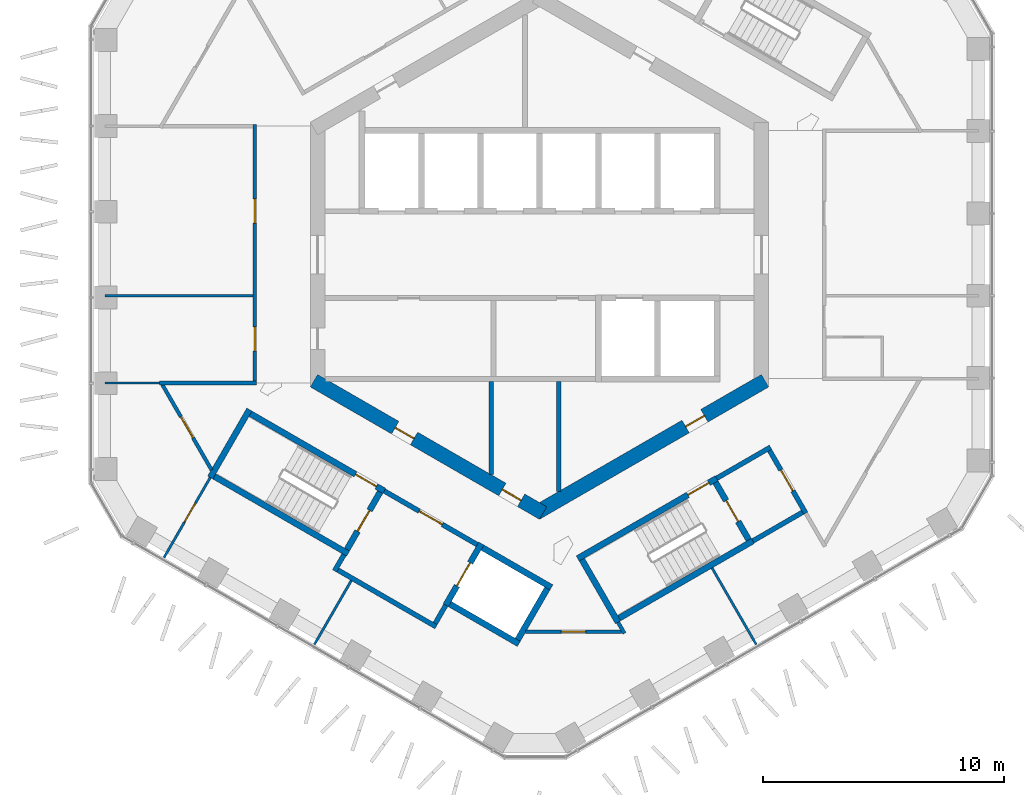
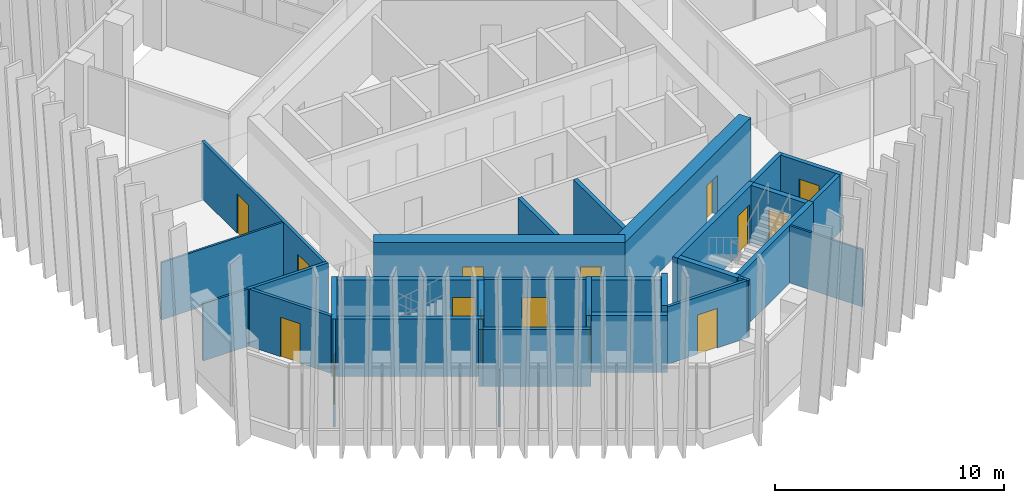
# One storey, part 13 of 20: 33 walls, 15 doors, 15 openings.
"""IFC4 building model written with IfcOpenShell, lengths in metres."""

from ifc_helpers import new_model, si_unit, direction, frame, frame_2d, origin, place, context, subcontext, project, spatial, rectangle, extrude, material, layer, layer_set, type_object, element, fill, save


model = new_model("IFC4")

# Units and contexts
model_context = context("Model", 3, precision=1e-05, world=origin(), true_north=direction((0.0, 1.0)))
body_context = subcontext(model_context, "Body", "Model", "MODEL_VIEW")
ifc_project = project(units=[si_unit("LENGTHUNIT", "METRE"), si_unit("AREAUNIT", "SQUARE_METRE"), si_unit("VOLUMEUNIT", "CUBIC_METRE"), si_unit("PLANEANGLEUNIT", "RADIAN"), si_unit("MASSUNIT", "GRAM", prefix="KILO")], contexts=[model_context])

# Site, building, storey
site_placement = place(None, origin())
site = spatial("IfcSite", under=ifc_project, at=site_placement, CompositionType="ELEMENT")
building_placement = place(site_placement, origin())
building = spatial("IfcBuilding", under=site, at=building_placement, Name="Ayvan Gate Tower", CompositionType="ELEMENT")
storey_placement = place(building_placement, frame((0.0, 0.0, 162.89990234375)))
storey = spatial("IfcBuildingStorey", under=building, at=storey_placement, Name="L43", CompositionType="ELEMENT", Elevation=162.89990234375)

# Wall, openings, doors
ifc_material_1 = material(Name="Concrete C60/75", Category="concrete")
ifc_layer_1 = layer(ifc_material_1, 0.60009765625)
ifc_layer_set_1 = layer_set([ifc_layer_1], Name="Concrete C60/75")
wall_type_1 = type_object("IfcWallType", Name="Core wall 600 C60/75", PredefinedType="SHEAR", material=ifc_layer_set_1)
wall_1_placement = place(storey_placement, frame((-9.35009765625, -5.22509765625, 0.0), z_axis=(0.0, 0.0, 1.0), x_axis=(0.866023993627, -0.500002442456, 0.0)))
wall_1 = element("IfcWall", 1, at=wall_1_placement, inside=storey, type_object=wall_type_1, Name="CORE-L43-4", PredefinedType="SHEAR", context=body_context, shape_type="SweptSolid", body=[
    extrude(rectangle(XDim=10.9697265625, YDim=0.60009765625, at=frame_2d((5.48486328125, 0.0))), origin(), (0.0, 0.0, 1.0), 3.400146484375),
])
opening_1_placement = place(wall_1_placement, frame((3.891357421875, 0.0, 0.0)))
opening_1 = element("IfcOpeningElement", 2, at=opening_1_placement, cuts=wall_1, Name="Opening L43-D38", PredefinedType="OPENING", context=body_context, shape_type="SweptSolid", body=[
    extrude(rectangle(XDim=0.89990234375, YDim=2.10009765625, at=frame_2d((0.449951171875, 1.050048828125))), frame((0.0, 0.31005859375, 0.0), z_axis=(0.0, -1.0, 0.0), x_axis=(1.0, 0.0, 0.0)), (0.0, 0.0, 1.0), 0.6201171875),
])
opening_2_placement = place(wall_1_placement, frame((9.01806640625, 0.0, 0.0)))
opening_2 = element("IfcOpeningElement", 3, at=opening_2_placement, cuts=wall_1, Name="Opening L43-D39", PredefinedType="OPENING", context=body_context, shape_type="SweptSolid", body=[
    extrude(rectangle(XDim=0.89990234375, YDim=2.10009765625, at=frame_2d((0.449951171875, 1.050048828125))), frame((0.0, 0.31005859375, 0.0), z_axis=(0.0, -1.0, 0.0), x_axis=(1.0, 0.0, 0.0)), (0.0, 0.0, 1.0), 0.6201171875),
])
ifc_material_2 = material(Name="Timber door leaf", Category="wood")
door_type_1 = type_object("IfcDoorType", Name="DT-900", OperationType="NOTDEFINED", PredefinedType="DOOR", material=ifc_material_2)
door_1_placement = place(opening_1_placement, origin())
door_1 = element("IfcDoor", 4, at=door_1_placement, inside=storey, type_object=door_type_1, Name="CD-L43-38", OperationType="SINGLE_SWING_LEFT", OverallHeight=2.10009765625, OverallWidth=0.89990234375, PredefinedType="DOOR", context=body_context, shape_type="SweptSolid", body=[
    extrude(rectangle(XDim=0.89990234375, YDim=2.10009765625, at=frame_2d((0.449951171875, 1.050048828125))), frame((0.0, 0.02490234375, 0.0), z_axis=(0.0, -1.0, 0.0), x_axis=(1.0, 0.0, 0.0)), (0.0, 0.0, 1.0), 0.050048828125),
])
fill(opening_1, door_1)
door_2_placement = place(opening_2_placement, origin())
door_2 = element("IfcDoor", 5, at=door_2_placement, inside=storey, type_object=door_type_1, Name="CD-L43-39", OperationType="SINGLE_SWING_RIGHT", OverallHeight=2.10009765625, OverallWidth=0.89990234375, PredefinedType="DOOR", context=body_context, shape_type="SweptSolid", body=[
    extrude(rectangle(XDim=0.89990234375, YDim=2.10009765625, at=frame_2d((0.449951171875, 1.050048828125))), frame((0.0, 0.02490234375, 0.0), z_axis=(0.0, -1.0, 0.0), x_axis=(1.0, 0.0, 0.0)), (0.0, 0.0, 1.0), 0.050048828125),
])
fill(opening_2, door_2)

# Wall, opening, door
wall_2_placement = place(storey_placement, frame((-0.14990234375, -10.7099609375, 0.0), z_axis=(0.0, 0.0, 1.0), x_axis=(0.866023993627, 0.500002442456, 0.0)))
wall_2 = element("IfcWall", 6, at=wall_2_placement, inside=storey, type_object=wall_type_1, Name="CORE-L43-5", PredefinedType="SHEAR", context=body_context, shape_type="SweptSolid", body=[
    extrude(rectangle(XDim=10.9697265625, YDim=0.60009765625, at=frame_2d((5.48486328125, 0.0))), origin(), (0.0, 0.0, 1.0), 3.400146484375),
])
opening_3_placement = place(wall_2_placement, frame((7.165771484375, 0.0, 0.0)))
opening_3 = element("IfcOpeningElement", 7, at=opening_3_placement, cuts=wall_2, Name="Opening L43-D40", PredefinedType="OPENING", context=body_context, shape_type="SweptSolid", body=[
    extrude(rectangle(XDim=0.89990234375, YDim=2.10009765625, at=frame_2d((0.449951171875, 1.050048828125))), frame((0.0, 0.31005859375, 0.0), z_axis=(0.0, -1.0, 0.0), x_axis=(1.0, 0.0, 0.0)), (0.0, 0.0, 1.0), 0.6201171875),
])
door_3_placement = place(opening_3_placement, origin())
door_3 = element("IfcDoor", 8, at=door_3_placement, inside=storey, type_object=door_type_1, Name="CD-L43-40", OperationType="SINGLE_SWING_LEFT", OverallHeight=2.10009765625, OverallWidth=0.89990234375, PredefinedType="DOOR", context=body_context, shape_type="SweptSolid", body=[
    extrude(rectangle(XDim=0.89990234375, YDim=2.10009765625, at=frame_2d((0.449951171875, 1.050048828125))), frame((0.0, 0.02490234375, 0.0), z_axis=(0.0, -1.0, 0.0), x_axis=(1.0, 0.0, 0.0)), (0.0, 0.0, 1.0), 0.050048828125),
])
fill(opening_3, door_3)

# Wall
ifc_material_3 = material(Name="Plasterboard on steel stud", Category="steel")
ifc_layer_2 = layer(ifc_material_3, 0.14990234375)
ifc_layer_set_2 = layer_set([ifc_layer_2], Name="Plasterboard on steel stud")
wall_type_2 = type_object("IfcWallType", Name="WT-CORR-150", PredefinedType="PARTITIONING", material=ifc_layer_set_2)
wall_3_placement = place(storey_placement, frame((-15.74658203125, -5.322509765625, 0.0), z_axis=(0.0, 0.0, 1.0), x_axis=(1.0, 0.0, 0.0)))
element("IfcWall", 9, at=wall_3_placement, inside=storey, type_object=wall_type_2, Name="IW-L43-003", PredefinedType="PARTITIONING", context=body_context, shape_type="SweptSolid", body=[
    extrude(rectangle(XDim=4.021728515625, YDim=0.14990234375, at=frame_2d((2.0107421875, 0.0))), origin(), (0.0, 0.0, 1.0), 3.050048828125),
])

# Wall, opening, door
wall_4_placement = place(storey_placement, frame((-13.591552734375, -8.9248046875, 0.0), z_axis=(0.0, 0.0, 1.0), x_axis=(-0.500034604092, 0.866005424181, 0.0)))
wall_4 = element("IfcWall", 10, at=wall_4_placement, inside=storey, type_object=wall_type_2, Name="IW-L43-007", PredefinedType="PARTITIONING", context=body_context, shape_type="SweptSolid", body=[
    extrude(rectangle(XDim=4.084716796875, YDim=0.14990234375, at=frame_2d((2.04248046875, 0.0))), origin(), (0.0, 0.0, 1.0), 3.050048828125),
])
opening_4_placement = place(wall_4_placement, frame((1.54248046875, 0.0, 0.0)))
opening_4 = element("IfcOpeningElement", 11, at=opening_4_placement, cuts=wall_4, Name="Opening L43-D29", PredefinedType="OPENING", context=body_context, shape_type="SweptSolid", body=[
    extrude(rectangle(XDim=1.0, YDim=2.10009765625, at=frame_2d((0.5, 1.050048828125))), frame((0.0, 0.0849609375, 0.0), z_axis=(0.0, -1.0, 0.0), x_axis=(1.0, 0.0, 0.0)), (0.0, 0.0, 1.0), 0.169921875),
])
door_type_2 = type_object("IfcDoorType", Name="DT-1000", OperationType="NOTDEFINED", PredefinedType="DOOR", material=ifc_material_2)
door_4_placement = place(opening_4_placement, origin())
door_4 = element("IfcDoor", 12, at=door_4_placement, inside=storey, type_object=door_type_2, Name="ID-L43-029", OperationType="SINGLE_SWING_RIGHT", OverallHeight=2.10009765625, OverallWidth=1.0, PredefinedType="DOOR", context=body_context, shape_type="SweptSolid", body=[
    extrude(rectangle(XDim=1.0, YDim=2.10009765625, at=frame_2d((0.5, 1.050048828125))), frame((0.0, 0.02490234375, 0.0), z_axis=(0.0, -1.0, 0.0), x_axis=(1.0, 0.0, 0.0)), (0.0, 0.0, 1.0), 0.050048828125),
])
fill(opening_4, door_4)

# Wall, openings, doors
wall_5_placement = place(storey_placement, frame((-11.800048828125, -5.247314453125, 0.0), z_axis=(0.0, 0.0, 1.0), x_axis=(0.0, 1.0, 0.0)))
wall_5 = element("IfcWall", 13, at=wall_5_placement, inside=storey, type_object=wall_type_2, Name="IW-L43-010", PredefinedType="PARTITIONING", context=body_context, shape_type="SweptSolid", body=[
    extrude(rectangle(XDim=10.644775390625, YDim=0.14990234375, at=frame_2d((5.322265625, 0.0))), origin(), (0.0, 0.0, 1.0), 3.050048828125),
])
opening_5_placement = place(wall_5_placement, frame((6.55712890625, 0.0, 0.0)))
opening_5 = element("IfcOpeningElement", 14, at=opening_5_placement, cuts=wall_5, Name="Opening L43-D27", PredefinedType="OPENING", context=body_context, shape_type="SweptSolid", body=[
    extrude(rectangle(XDim=1.0, YDim=2.10009765625, at=frame_2d((0.5, 1.050048828125))), frame((0.0, 0.0849609375, 0.0), z_axis=(0.0, -1.0, 0.0), x_axis=(1.0, 0.0, 0.0)), (0.0, 0.0, 1.0), 0.169921875),
])
opening_6_placement = place(wall_5_placement, frame((1.257080078125, 0.0, 0.0)))
opening_6 = element("IfcOpeningElement", 15, at=opening_6_placement, cuts=wall_5, Name="Opening L43-D28", PredefinedType="OPENING", context=body_context, shape_type="SweptSolid", body=[
    extrude(rectangle(XDim=1.0, YDim=2.10009765625, at=frame_2d((0.5, 1.050048828125))), frame((0.0, 0.0849609375, 0.0), z_axis=(0.0, -1.0, 0.0), x_axis=(1.0, 0.0, 0.0)), (0.0, 0.0, 1.0), 0.169921875),
])
door_5_placement = place(opening_5_placement, origin())
door_5 = element("IfcDoor", 16, at=door_5_placement, inside=storey, type_object=door_type_2, Name="ID-L43-027", OperationType="SINGLE_SWING_RIGHT", OverallHeight=2.10009765625, OverallWidth=1.0, PredefinedType="DOOR", context=body_context, shape_type="SweptSolid", body=[
    extrude(rectangle(XDim=1.0, YDim=2.10009765625, at=frame_2d((0.5, 1.050048828125))), frame((0.0, 0.02490234375, 0.0), z_axis=(0.0, -1.0, 0.0), x_axis=(1.0, 0.0, 0.0)), (0.0, 0.0, 1.0), 0.050048828125),
])
fill(opening_5, door_5)
door_6_placement = place(opening_6_placement, origin())
door_6 = element("IfcDoor", 17, at=door_6_placement, inside=storey, type_object=door_type_2, Name="ID-L43-028", OperationType="SINGLE_SWING_LEFT", OverallHeight=2.10009765625, OverallWidth=1.0, PredefinedType="DOOR", context=body_context, shape_type="SweptSolid", body=[
    extrude(rectangle(XDim=1.0, YDim=2.10009765625, at=frame_2d((0.5, 1.050048828125))), frame((0.0, 0.02490234375, 0.0), z_axis=(0.0, -1.0, 0.0), x_axis=(1.0, 0.0, 0.0)), (0.0, 0.0, 1.0), 0.050048828125),
])
fill(opening_6, door_6)

# Wall
wall_6_placement = place(storey_placement, frame((3.255615234375, -15.23876953125, 0.0), z_axis=(0.0, 0.0, 1.0), x_axis=(0.500001430823, -0.866024577697, 0.0)))
element("IfcWall", 18, at=wall_6_placement, inside=storey, type_object=wall_type_2, Name="IW-L43-053", PredefinedType="PARTITIONING", context=body_context, shape_type="SweptSolid", body=[
    extrude(rectangle(XDim=0.5302734375, YDim=0.14990234375, at=frame_2d((0.26513671875, 0.0))), origin(), (0.0, 0.0, 1.0), 3.050048828125),
])

# Wall, opening, door
wall_7_placement = place(storey_placement, frame((3.408203125, -15.633056640625, 0.0), z_axis=(0.0, 0.0, 1.0), x_axis=(-1.0, 0.0, 0.0)))
wall_7 = element("IfcWall", 19, at=wall_7_placement, inside=storey, type_object=wall_type_2, Name="IW-L43-055", PredefinedType="PARTITIONING", context=body_context, shape_type="SweptSolid", body=[
    extrude(rectangle(XDim=3.9951171875, YDim=0.14990234375, at=frame_2d((1.99755859375, 0.0))), origin(), (0.0, 0.0, 1.0), 3.050048828125),
])
opening_7_placement = place(wall_7_placement, frame((1.49755859375, 0.0, 0.0)))
opening_7 = element("IfcOpeningElement", 20, at=opening_7_placement, cuts=wall_7, Name="Opening L43-D31", PredefinedType="OPENING", context=body_context, shape_type="SweptSolid", body=[
    extrude(rectangle(XDim=1.0, YDim=2.10009765625, at=frame_2d((0.5, 1.050048828125))), frame((0.0, 0.0849609375, 0.0), z_axis=(0.0, -1.0, 0.0), x_axis=(1.0, 0.0, 0.0)), (0.0, 0.0, 1.0), 0.169921875),
])
door_7_placement = place(opening_7_placement, origin())
door_7 = element("IfcDoor", 21, at=door_7_placement, inside=storey, type_object=door_type_2, Name="ID-L43-031", OperationType="SINGLE_SWING_RIGHT", OverallHeight=2.10009765625, OverallWidth=1.0, PredefinedType="DOOR", context=body_context, shape_type="SweptSolid", body=[
    extrude(rectangle(XDim=1.0, YDim=2.10009765625, at=frame_2d((0.5, 1.050048828125))), frame((0.0, 0.02490234375, 0.0), z_axis=(0.0, -1.0, 0.0), x_axis=(1.0, 0.0, 0.0)), (0.0, 0.0, 1.0), 0.050048828125),
])
fill(opening_7, door_7)

# Wall
ifc_layer_3 = layer(ifc_material_3, 0.10009765625)
ifc_layer_set_3 = layer_set([ifc_layer_3], Name="Plasterboard on steel stud")
wall_type_3 = type_object("IfcWallType", Name="WT-PART-100", PredefinedType="PARTITIONING", material=ifc_layer_set_3)
wall_8_placement = place(storey_placement, frame((-15.74658203125, -5.322509765625, 0.0), z_axis=(0.0, 0.0, 1.0), x_axis=(-1.0, 0.0, 0.0)))
element("IfcWall", 22, at=wall_8_placement, inside=storey, type_object=wall_type_3, Name="IW-L43-002", PredefinedType="PARTITIONING", context=body_context, shape_type="SweptSolid", body=[
    extrude(rectangle(XDim=2.261962890625, YDim=0.10009765625, at=frame_2d((1.130859375, 0.0))), origin(), (0.0, 0.0, 1.0), 3.050048828125),
])

# Wall, opening, door
wall_9_placement = place(storey_placement, frame((-13.647705078125, -9.23876953125, 0.0), z_axis=(0.0, 0.0, 1.0), x_axis=(-0.500044099915, -0.86599994119, 0.0)))
wall_9 = element("IfcWall", 23, at=wall_9_placement, inside=storey, type_object=wall_type_3, Name="IW-L43-005", PredefinedType="PARTITIONING", context=body_context, shape_type="SweptSolid", body=[
    extrude(rectangle(XDim=3.832763671875, YDim=0.10009765625, at=frame_2d((1.91650390625, 0.0))), origin(), (0.0, 0.0, 1.0), 3.050048828125),
])
opening_8_placement = place(wall_9_placement, frame((1.230712890625, 0.0, 0.0)))
opening_8 = element("IfcOpeningElement", 24, at=opening_8_placement, cuts=wall_9, Name="Opening L43-D30", PredefinedType="OPENING", context=body_context, shape_type="SweptSolid", body=[
    extrude(rectangle(XDim=0.89990234375, YDim=2.10009765625, at=frame_2d((0.449951171875, 1.050048828125))), frame((0.0, 0.06005859375, 0.0), z_axis=(0.0, -1.0, 0.0), x_axis=(1.0, 0.0, 0.0)), (0.0, 0.0, 1.0), 0.1201171875),
])
door_8_placement = place(opening_8_placement, origin())
door_8 = element("IfcDoor", 25, at=door_8_placement, inside=storey, type_object=door_type_1, Name="ID-L43-030", OperationType="SINGLE_SWING_LEFT", OverallHeight=2.10009765625, OverallWidth=0.89990234375, PredefinedType="DOOR", context=body_context, shape_type="SweptSolid", body=[
    extrude(rectangle(XDim=0.89990234375, YDim=2.10009765625, at=frame_2d((0.449951171875, 1.050048828125))), frame((0.0, 0.02490234375, 0.0), z_axis=(0.0, -1.0, 0.0), x_axis=(1.0, 0.0, 0.0)), (0.0, 0.0, 1.0), 0.050048828125),
])
fill(opening_8, door_8)

# Walls
wall_10_placement = place(storey_placement, frame((-11.875, -1.703125, 0.0), z_axis=(0.0, 0.0, 1.0), x_axis=(-1.0, 0.0, 0.0)))
element("IfcWall", 26, at=wall_10_placement, inside=storey, type_object=wall_type_3, Name="IW-L43-011", PredefinedType="PARTITIONING", context=body_context, shape_type="SweptSolid", body=[
    extrude(rectangle(XDim=6.133544921875, YDim=0.10009765625, at=frame_2d((3.06689453125, 0.0))), origin(), (0.0, 0.0, 1.0), 3.050048828125),
])
wall_11_placement = place(storey_placement, frame((-7.800048828125, -13.510009765625, 0.0), z_axis=(0.0, 0.0, 1.0), x_axis=(-0.500003532061, -0.866023364538, 0.0)))
element("IfcWall", 27, at=wall_11_placement, inside=storey, type_object=wall_type_3, Name="IW-L43-018", PredefinedType="PARTITIONING", context=body_context, shape_type="SweptSolid", body=[
    extrude(rectangle(XDim=3.0576171875, YDim=0.10009765625, at=frame_2d((1.52880859375, 0.0))), origin(), (0.0, 0.0, 1.0), 3.050048828125),
])
wall_12_placement = place(storey_placement, frame((7.152587890625, -12.98876953125, 0.0), z_axis=(0.0, 0.0, 1.0), x_axis=(0.500011578892, -0.866018718605, 0.0)))
element("IfcWall", 28, at=wall_12_placement, inside=storey, type_object=wall_type_3, Name="IW-L43-064", PredefinedType="PARTITIONING", context=body_context, shape_type="SweptSolid", body=[
    extrude(rectangle(XDim=3.65478515625, YDim=0.10009765625, at=frame_2d((1.827392578125, 0.0))), origin(), (0.0, 0.0, 1.0), 3.050048828125),
])
ifc_layer_4 = layer(ifc_material_3, 0.199951171875)
ifc_layer_set_4 = layer_set([ifc_layer_4], Name="Plasterboard on steel stud")
wall_type_4 = type_object("IfcWallType", Name="WT-RATED-200", PredefinedType="PARTITIONING", material=ifc_layer_set_4)
wall_13_placement = place(storey_placement, frame((-8.492919921875, -13.110107421875, 0.0), z_axis=(0.0, 0.0, 1.0), x_axis=(0.500067724834, 0.865986299303, 0.0)))
element("IfcWall", 29, at=wall_13_placement, inside=storey, type_object=wall_type_4, Name="IW-L43-016", PredefinedType="PARTITIONING", context=body_context, shape_type="SweptSolid", body=[
    extrude(rectangle(XDim=0.775390625, YDim=0.199951171875, at=frame_2d((0.3876953125, 0.0))), origin(), (0.0, 0.0, 1.0), 3.050048828125),
])
wall_14_placement = place(storey_placement, frame((-8.356201171875, -13.073486328125, 0.0), z_axis=(0.0, 0.0, 1.0), x_axis=(0.866038532462, -0.499977259774, 0.0)))
element("IfcWall", 30, at=wall_14_placement, inside=storey, type_object=wall_type_4, Name="IW-L43-019", PredefinedType="PARTITIONING", context=body_context, shape_type="SweptSolid", body=[
    extrude(rectangle(XDim=4.699951171875, YDim=0.199951171875, at=frame_2d((2.35009765625, 0.0))), origin(), (0.0, 0.0, 1.0), 3.050048828125),
])

# Wall, opening, door
wall_15_placement = place(storey_placement, frame((-6.4345703125, -9.794921875, 0.0), z_axis=(0.0, 0.0, 1.0), x_axis=(0.866012907634, -0.500021643343, 0.0)))
wall_15 = element("IfcWall", 31, at=wall_15_placement, inside=storey, type_object=wall_type_4, Name="IW-L43-024", PredefinedType="PARTITIONING", context=body_context, shape_type="SweptSolid", body=[
    extrude(rectangle(XDim=4.449951171875, YDim=0.199951171875, at=frame_2d((2.22509765625, 0.0))), origin(), (0.0, 0.0, 1.0), 3.050048828125),
])
opening_9_placement = place(wall_15_placement, frame((1.675048828125, 0.0, 0.0)))
opening_9 = element("IfcOpeningElement", 32, at=opening_9_placement, cuts=wall_15, Name="Opening L43-D16", PredefinedType="OPENING", context=body_context, shape_type="SweptSolid", body=[
    extrude(rectangle(XDim=1.10009765625, YDim=2.10009765625, at=frame_2d((0.550048828125, 1.050048828125))), frame((0.0, 0.10986328125, 0.0), z_axis=(0.0, -1.0, 0.0), x_axis=(1.0, 0.0, 0.0)), (0.0, 0.0, 1.0), 0.219970703125),
])
door_type_3 = type_object("IfcDoorType", Name="DT-1100", OperationType="NOTDEFINED", PredefinedType="DOOR", material=ifc_material_2)
door_9_placement = place(opening_9_placement, origin())
door_9 = element("IfcDoor", 33, at=door_9_placement, inside=storey, type_object=door_type_3, Name="ID-L43-016", OperationType="SINGLE_SWING_LEFT", OverallHeight=2.10009765625, OverallWidth=1.10009765625, PredefinedType="DOOR", context=body_context, shape_type="SweptSolid", body=[
    extrude(rectangle(XDim=1.10009765625, YDim=2.10009765625, at=frame_2d((0.550048828125, 1.050048828125))), frame((0.0, 0.02490234375, 0.0), z_axis=(0.0, -1.0, 0.0), x_axis=(1.0, 0.0, 0.0)), (0.0, 0.0, 1.0), 0.050048828125),
])
fill(opening_9, door_9)

# Walls
wall_16_placement = place(storey_placement, frame((-3.885009765625, -14.52880859375, 0.0), z_axis=(0.0, 0.0, 1.0), x_axis=(-0.499859285417, -0.866106630146, 0.0)))
element("IfcWall", 34, at=wall_16_placement, inside=storey, type_object=wall_type_4, Name="IW-L43-027", PredefinedType="PARTITIONING", context=body_context, shape_type="SweptSolid", body=[
    extrude(rectangle(XDim=0.875244140625, YDim=0.199951171875, at=frame_2d((0.4375, 0.0))), origin(), (0.0, 0.0, 1.0), 3.050048828125),
])
wall_17_placement = place(storey_placement, frame((-2.0, -5.25, 0.0), z_axis=(0.0, 0.0, 1.0), x_axis=(0.0, -1.0, 0.0)))
element("IfcWall", 35, at=wall_17_placement, inside=storey, type_object=wall_type_4, Name="IW-L43-036", PredefinedType="PARTITIONING", context=body_context, shape_type="SweptSolid", body=[
    extrude(rectangle(XDim=3.8720703125, YDim=0.199951171875, at=frame_2d((1.93603515625, 0.0))), origin(), (0.0, 0.0, 1.0), 3.050048828125),
])
wall_18_placement = place(storey_placement, frame((0.800048828125, -5.25, 0.0), z_axis=(0.0, 0.0, 1.0), x_axis=(0.0, -1.0, 0.0)))
element("IfcWall", 36, at=wall_18_placement, inside=storey, type_object=wall_type_4, Name="IW-L43-045", PredefinedType="PARTITIONING", context=body_context, shape_type="SweptSolid", body=[
    extrude(rectangle(XDim=4.56494140625, YDim=0.199951171875, at=frame_2d((2.282470703125, 0.0))), origin(), (0.0, 0.0, 1.0), 3.050048828125),
])
wall_19_placement = place(storey_placement, frame((7.343994140625, -9.27001953125, 0.0), z_axis=(0.0, 0.0, 1.0), x_axis=(0.866005588531, 0.500034319456, 0.0)))
element("IfcWall", 37, at=wall_19_placement, inside=storey, type_object=wall_type_4, Name="IW-L43-067", PredefinedType="PARTITIONING", context=body_context, shape_type="SweptSolid", body=[
    extrude(rectangle(XDim=2.574951171875, YDim=0.199951171875, at=frame_2d((1.28759765625, 0.0))), origin(), (0.0, 0.0, 1.0), 3.050048828125),
])

# Wall, opening, door
wall_20_placement = place(storey_placement, frame((9.537353515625, -8.119140625, 0.0), z_axis=(0.0, 0.0, 1.0), x_axis=(0.499990139034, -0.866031096941, 0.0)))
wall_20 = element("IfcWall", 38, at=wall_20_placement, inside=storey, type_object=wall_type_4, Name="IW-L43-075", PredefinedType="PARTITIONING", context=body_context, shape_type="SweptSolid", body=[
    extrude(rectangle(XDim=3.0, YDim=0.199951171875, at=frame_2d((1.5, 0.0))), origin(), (0.0, 0.0, 1.0), 3.050048828125),
])
opening_10_placement = place(wall_20_placement, frame((0.93505859375, 0.0, 0.0)))
opening_10 = element("IfcOpeningElement", 39, at=opening_10_placement, cuts=wall_20, Name="Opening L43-D19", PredefinedType="OPENING", context=body_context, shape_type="SweptSolid", body=[
    extrude(rectangle(XDim=1.0, YDim=2.10009765625, at=frame_2d((0.5, 1.050048828125))), frame((0.0, 0.10986328125, 0.0), z_axis=(0.0, -1.0, 0.0), x_axis=(1.0, 0.0, 0.0)), (0.0, 0.0, 1.0), 0.219970703125),
])
door_10_placement = place(opening_10_placement, origin())
door_10 = element("IfcDoor", 40, at=door_10_placement, inside=storey, type_object=door_type_2, Name="ID-L43-019", OperationType="SINGLE_SWING_RIGHT", OverallHeight=2.10009765625, OverallWidth=1.0, PredefinedType="DOOR", context=body_context, shape_type="SweptSolid", body=[
    extrude(rectangle(XDim=1.0, YDim=2.10009765625, at=frame_2d((0.5, 1.050048828125))), frame((0.0, 0.02490234375, 0.0), z_axis=(0.0, -1.0, 0.0), x_axis=(1.0, 0.0, 0.0)), (0.0, 0.0, 1.0), 0.050048828125),
])
fill(opening_10, door_10)

# Walls
wall_21_placement = place(storey_placement, frame((10.900634765625, -10.6806640625, 0.0), z_axis=(0.0, 0.0, 1.0), x_axis=(-0.866007538022, -0.500030943131, 0.0)))
element("IfcWall", 41, at=wall_21_placement, inside=storey, type_object=wall_type_4, Name="IW-L43-076", PredefinedType="PARTITIONING", context=body_context, shape_type="SweptSolid", body=[
    extrude(rectangle(XDim=2.374755859375, YDim=0.199951171875, at=frame_2d((1.1875, 0.0))), origin(), (0.0, 0.0, 1.0), 3.050048828125),
])
ifc_material_4 = material(Name="Concrete C50/60", Category="concrete")
ifc_layer_5 = layer(ifc_material_4, 0.25)
ifc_layer_set_5 = layer_set([ifc_layer_5], Name="Concrete C50/60")
wall_type_5 = type_object("IfcWallType", Name="WT-RC-250", PredefinedType="SHEAR", material=ifc_layer_set_5)
wall_22_placement = place(storey_placement, frame((-13.64794921875, -9.23876953125, 0.0), z_axis=(0.0, 0.0, 1.0), x_axis=(0.500017246033, 0.866015446554, 0.0)))
element("IfcWall", 42, at=wall_22_placement, inside=storey, type_object=wall_type_5, Name="IW-L43-004", PredefinedType="SHEAR", context=body_context, shape_type="SweptSolid", body=[
    extrude(rectangle(XDim=3.25, YDim=0.25, at=frame_2d((1.625, 0.0))), origin(), (0.0, 0.0, 1.0), 3.050048828125),
])

# Wall, opening, door
wall_23_placement = place(storey_placement, frame((-11.97705078125, -6.594970703125, 0.0), z_axis=(0.0, 0.0, 1.0), x_axis=(0.866025499775, -0.499999833739, 0.0)))
wall_23 = element("IfcWall", 43, at=wall_23_placement, inside=storey, type_object=wall_type_5, Name="IW-L43-009", PredefinedType="SHEAR", context=body_context, shape_type="SweptSolid", body=[
    extrude(rectangle(XDim=6.39990234375, YDim=0.25, at=frame_2d((3.199951171875, 0.0))), origin(), (0.0, 0.0, 1.0), 3.050048828125),
])
opening_11_placement = place(wall_23_placement, frame((5.02490234375, 0.0, 0.0)))
opening_11 = element("IfcOpeningElement", 44, at=opening_11_placement, cuts=wall_23, Name="Opening L43-D14", PredefinedType="OPENING", context=body_context, shape_type="SweptSolid", body=[
    extrude(rectangle(XDim=1.0, YDim=2.10009765625, at=frame_2d((0.5, 1.050048828125))), frame((0.0, 0.135009765625, 0.0), z_axis=(0.0, -1.0, 0.0), x_axis=(1.0, 0.0, 0.0)), (0.0, 0.0, 1.0), 0.27001953125),
])
door_11_placement = place(opening_11_placement, origin())
door_11 = element("IfcDoor", 45, at=door_11_placement, inside=storey, type_object=door_type_2, Name="ID-L43-014", OperationType="SINGLE_SWING_LEFT", OverallHeight=2.10009765625, OverallWidth=1.0, PredefinedType="DOOR", context=body_context, shape_type="SweptSolid", body=[
    extrude(rectangle(XDim=1.0, YDim=2.10009765625, at=frame_2d((0.5, 1.050048828125))), frame((0.0, 0.02490234375, 0.0), z_axis=(0.0, -1.0, 0.0), x_axis=(1.0, 0.0, 0.0)), (0.0, 0.0, 1.0), 0.050048828125),
])
fill(opening_11, door_11)

# Wall
wall_24_placement = place(storey_placement, frame((-7.9345703125, -12.39306640625, 0.0), z_axis=(0.0, 0.0, 1.0), x_axis=(-0.866025499775, 0.499999833739, 0.0)))
element("IfcWall", 46, at=wall_24_placement, inside=storey, type_object=wall_type_5, Name="IW-L43-017", PredefinedType="SHEAR", context=body_context, shape_type="SweptSolid", body=[
    extrude(rectangle(XDim=6.39990234375, YDim=0.25, at=frame_2d((3.199951171875, 0.0))), origin(), (0.0, 0.0, 1.0), 3.050048828125),
])

# Wall, opening, door
wall_25_placement = place(storey_placement, frame((-6.605224609375, -9.8408203125, 0.0), z_axis=(0.0, 0.0, 1.0), x_axis=(-0.499996545922, -0.866027397988, 0.0)))
wall_25 = element("IfcWall", 47, at=wall_25_placement, inside=storey, type_object=wall_type_5, Name="IW-L43-023", PredefinedType="SHEAR", context=body_context, shape_type="SweptSolid", body=[
    extrude(rectangle(XDim=2.75, YDim=0.25, at=frame_2d((1.375, 0.0))), origin(), (0.0, 0.0, 1.0), 3.050048828125),
])
opening_12_placement = place(wall_25_placement, frame((0.875, 0.0, 0.0)))
opening_12 = element("IfcOpeningElement", 48, at=opening_12_placement, cuts=wall_25, Name="Opening L43-D15", PredefinedType="OPENING", context=body_context, shape_type="SweptSolid", body=[
    extrude(rectangle(XDim=1.0, YDim=2.10009765625, at=frame_2d((0.5, 1.050048828125))), frame((0.0, 0.135009765625, 0.0), z_axis=(0.0, -1.0, 0.0), x_axis=(1.0, 0.0, 0.0)), (0.0, 0.0, 1.0), 0.27001953125),
])
door_12_placement = place(opening_12_placement, origin())
door_12 = element("IfcDoor", 49, at=door_12_placement, inside=storey, type_object=door_type_2, Name="ID-L43-015", OperationType="SINGLE_SWING_RIGHT", OverallHeight=2.10009765625, OverallWidth=1.0, PredefinedType="DOOR", context=body_context, shape_type="SweptSolid", body=[
    extrude(rectangle(XDim=1.0, YDim=2.10009765625, at=frame_2d((0.5, 1.050048828125))), frame((0.0, 0.02490234375, 0.0), z_axis=(0.0, -1.0, 0.0), x_axis=(1.0, 0.0, 0.0)), (0.0, 0.0, 1.0), 0.050048828125),
])
fill(opening_12, door_12)

wall_26_placement = place(storey_placement, frame((-2.409912109375, -11.97412109375, 0.0), z_axis=(0.0, 0.0, 1.0), x_axis=(-0.500001826776, -0.866024349092, 0.0)))
wall_26 = element("IfcWall", 50, at=wall_26_placement, inside=storey, type_object=wall_type_5, Name="IW-L43-031", PredefinedType="SHEAR", context=body_context, shape_type="SweptSolid", body=[
    extrude(rectangle(XDim=2.9501953125, YDim=0.25, at=frame_2d((1.47509765625, 0.0))), origin(), (0.0, 0.0, 1.0), 3.050048828125),
])
opening_13_placement = place(wall_26_placement, frame((0.925048828125, 0.0, 0.0)))
opening_13 = element("IfcOpeningElement", 51, at=opening_13_placement, cuts=wall_26, Name="Opening L43-LD-FF2", PredefinedType="OPENING", context=body_context, shape_type="SweptSolid", body=[
    extrude(rectangle(XDim=1.10009765625, YDim=2.10009765625, at=frame_2d((0.550048828125, 1.050048828125))), frame((0.0, 0.135009765625, 0.0), z_axis=(0.0, -1.0, 0.0), x_axis=(1.0, 0.0, 0.0)), (0.0, 0.0, 1.0), 0.27001953125),
])
ifc_material_5 = material(Name="Stainless steel landing door", Category="steel")
door_type_4 = type_object("IfcDoorType", Name="DT-LANDING-1100", OperationType="SLIDING_TO_LEFT", PredefinedType="DOOR", material=ifc_material_5)
door_13_placement = place(opening_13_placement, origin())
door_13 = element("IfcDoor", 52, at=door_13_placement, inside=storey, type_object=door_type_4, Name="ID-L43-017", OperationType="SLIDING_TO_LEFT", OverallHeight=2.10009765625, OverallWidth=1.10009765625, PredefinedType="DOOR", context=body_context, shape_type="SweptSolid", body=[
    extrude(rectangle(XDim=1.10009765625, YDim=2.10009765625, at=frame_2d((0.550048828125, 1.050048828125))), frame((0.0, 0.02490234375, 0.0), z_axis=(0.0, -1.0, 0.0), x_axis=(1.0, 0.0, 0.0)), (0.0, 0.0, 1.0), 0.050048828125),
])
fill(opening_13, door_13)

# Walls
wall_27_placement = place(storey_placement, frame((-2.3642578125, -12.14501953125, 0.0), z_axis=(0.0, 0.0, 1.0), x_axis=(0.866040211805, -0.499974350878, 0.0)))
element("IfcWall", 53, at=wall_27_placement, inside=storey, type_object=wall_type_5, Name="IW-L43-032", PredefinedType="SHEAR", context=body_context, shape_type="SweptSolid", body=[
    extrude(rectangle(XDim=3.300048828125, YDim=0.25, at=frame_2d((1.64990234375, 0.0))), origin(), (0.0, 0.0, 1.0), 3.050048828125),
])
wall_28_placement = place(storey_placement, frame((-0.8564453125, -16.13330078125, 0.0), z_axis=(0.0, 0.0, 1.0), x_axis=(-0.866021716278, 0.500006386895, 0.0)))
element("IfcWall", 54, at=wall_28_placement, inside=storey, type_object=wall_type_5, Name="IW-L43-040", PredefinedType="SHEAR", context=body_context, shape_type="SweptSolid", body=[
    extrude(rectangle(XDim=3.2998046875, YDim=0.25, at=frame_2d((1.64990234375, 0.0))), origin(), (0.0, 0.0, 1.0), 3.050048828125),
])
wall_29_placement = place(storey_placement, frame((-0.902099609375, -15.96240234375, 0.0), z_axis=(0.0, 0.0, 1.0), x_axis=(0.500061746146, 0.865989751695, 0.0)))
element("IfcWall", 55, at=wall_29_placement, inside=storey, type_object=wall_type_5, Name="IW-L43-041", PredefinedType="SHEAR", context=body_context, shape_type="SweptSolid", body=[
    extrude(rectangle(XDim=2.449951171875, YDim=0.25, at=frame_2d((1.22509765625, 0.0))), origin(), (0.0, 0.0, 1.0), 3.400146484375),
])

# Wall, opening, door
wall_30_placement = place(storey_placement, frame((1.584716796875, -12.594970703125, 0.0), z_axis=(0.0, 0.0, 1.0), x_axis=(0.866036417653, 0.499980922934, 0.0)))
wall_30 = element("IfcWall", 56, at=wall_30_placement, inside=storey, type_object=wall_type_5, Name="IW-L43-048", PredefinedType="SHEAR", context=body_context, shape_type="SweptSolid", body=[
    extrude(rectangle(XDim=6.650146484375, YDim=0.25, at=frame_2d((3.3251953125, 0.0))), origin(), (0.0, 0.0, 1.0), 3.050048828125),
])
opening_14_placement = place(wall_30_placement, frame((5.27490234375, 0.0, 0.0)))
opening_14 = element("IfcOpeningElement", 57, at=opening_14_placement, cuts=wall_30, Name="Opening L43-D18", PredefinedType="OPENING", context=body_context, shape_type="SweptSolid", body=[
    extrude(rectangle(XDim=1.0, YDim=2.10009765625, at=frame_2d((0.5, 1.050048828125))), frame((0.0, 0.135009765625, 0.0), z_axis=(0.0, -1.0, 0.0), x_axis=(1.0, 0.0, 0.0)), (0.0, 0.0, 1.0), 0.27001953125),
])
door_14_placement = place(opening_14_placement, origin())
door_14 = element("IfcDoor", 58, at=door_14_placement, inside=storey, type_object=door_type_2, Name="ID-L43-018", OperationType="SINGLE_SWING_LEFT", OverallHeight=2.10009765625, OverallWidth=1.0, PredefinedType="DOOR", context=body_context, shape_type="SweptSolid", body=[
    extrude(rectangle(XDim=1.0, YDim=2.10009765625, at=frame_2d((0.5, 1.050048828125))), frame((0.0, 0.02490234375, 0.0), z_axis=(0.0, -1.0, 0.0), x_axis=(1.0, 0.0, 0.0)), (0.0, 0.0, 1.0), 0.050048828125),
])
fill(opening_14, door_14)

# Walls
wall_31_placement = place(storey_placement, frame((3.255615234375, -15.23876953125, 0.0), z_axis=(0.0, 0.0, 1.0), x_axis=(-0.50002537861, 0.866010750942, 0.0)))
element("IfcWall", 59, at=wall_31_placement, inside=storey, type_object=wall_type_5, Name="IW-L43-054", PredefinedType="SHEAR", context=body_context, shape_type="SweptSolid", body=[
    extrude(rectangle(XDim=2.999755859375, YDim=0.25, at=frame_2d((1.5, 0.0))), origin(), (0.0, 0.0, 1.0), 3.050048828125),
])
wall_32_placement = place(storey_placement, frame((3.30126953125, -15.068115234375, 0.0), z_axis=(0.0, 0.0, 1.0), x_axis=(0.866035036182, 0.499983315828, 0.0)))
element("IfcWall", 60, at=wall_32_placement, inside=storey, type_object=wall_type_5, Name="IW-L43-065", PredefinedType="SHEAR", context=body_context, shape_type="SweptSolid", body=[
    extrude(rectangle(XDim=6.400146484375, YDim=0.25, at=frame_2d((3.2001953125, 0.0))), origin(), (0.0, 0.0, 1.0), 3.050048828125),
])

# Wall, opening, door
wall_33_placement = place(storey_placement, frame((7.298095703125, -9.44091796875, 0.0), z_axis=(0.0, 0.0, 1.0), x_axis=(0.500034990121, -0.866005201286, 0.0)))
wall_33 = element("IfcWall", 61, at=wall_33_placement, inside=storey, type_object=wall_type_5, Name="IW-L43-066", PredefinedType="SHEAR", context=body_context, shape_type="SweptSolid", body=[
    extrude(rectangle(XDim=2.749755859375, YDim=0.25, at=frame_2d((1.375, 0.0))), origin(), (0.0, 0.0, 1.0), 3.050048828125),
])
opening_15_placement = place(wall_33_placement, frame((0.875, 0.0, 0.0)))
opening_15 = element("IfcOpeningElement", 62, at=opening_15_placement, cuts=wall_33, Name="Opening L43-D20", PredefinedType="OPENING", context=body_context, shape_type="SweptSolid", body=[
    extrude(rectangle(XDim=1.0, YDim=2.10009765625, at=frame_2d((0.5, 1.050048828125))), frame((0.0, 0.135009765625, 0.0), z_axis=(0.0, -1.0, 0.0), x_axis=(1.0, 0.0, 0.0)), (0.0, 0.0, 1.0), 0.27001953125),
])
door_15_placement = place(opening_15_placement, origin())
door_15 = element("IfcDoor", 63, at=door_15_placement, inside=storey, type_object=door_type_2, Name="ID-L43-020", OperationType="SINGLE_SWING_LEFT", OverallHeight=2.10009765625, OverallWidth=1.0, PredefinedType="DOOR", context=body_context, shape_type="SweptSolid", body=[
    extrude(rectangle(XDim=1.0, YDim=2.10009765625, at=frame_2d((0.5, 1.050048828125))), frame((0.0, 0.02490234375, 0.0), z_axis=(0.0, -1.0, 0.0), x_axis=(1.0, 0.0, 0.0)), (0.0, 0.0, 1.0), 0.050048828125),
])
fill(opening_15, door_15)

save(model, "model.ifc")
